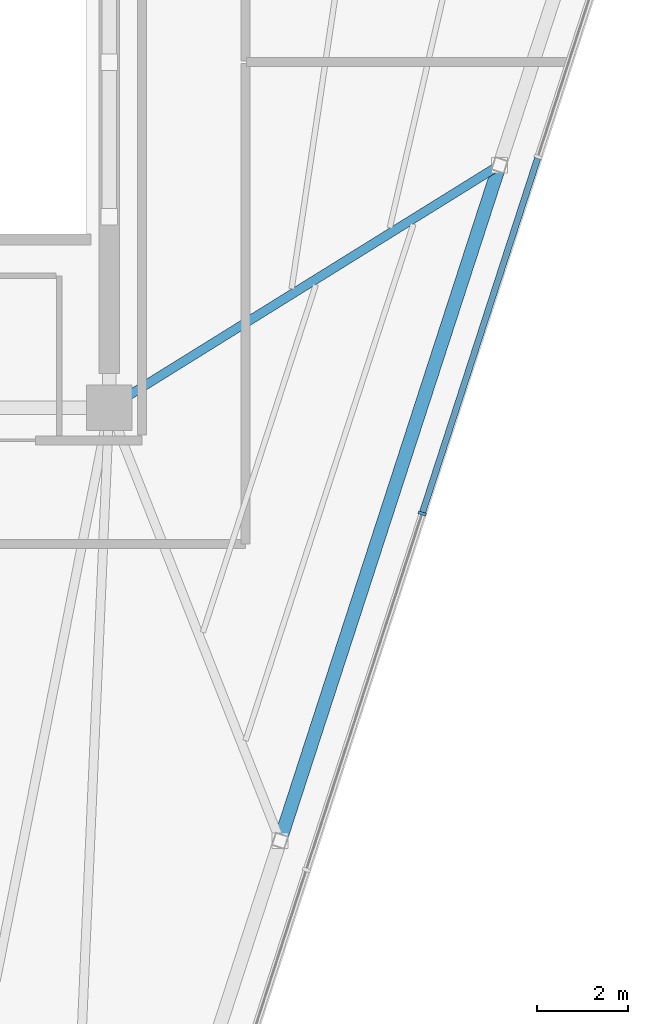
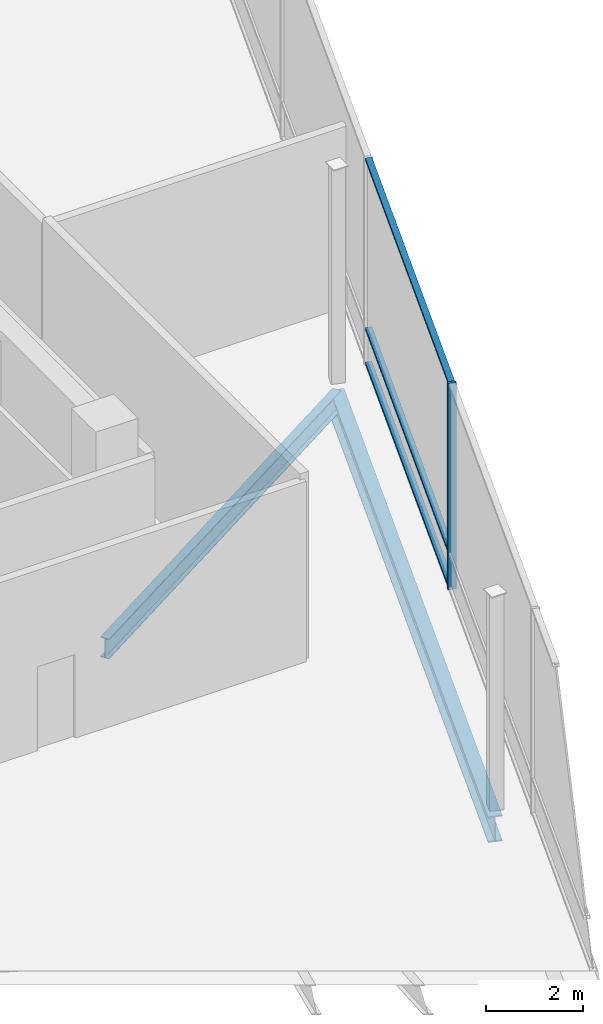
# One storey, part 6 of 14: 4 members, 2 beams, 1 element without a shape of its own.
"""IFC4 building model written with IfcOpenShell, lengths in metres."""

from ifc_helpers import new_model, si_unit, direction, frame, origin, origin_2d, place, context, subcontext, project, spatial, rectangle, i_section, extrude, material, layer, layer_set, material_profile, profile_set, type_object, element, aggregate, save


model = new_model("IFC4")

# Units and contexts
model_context = context("Model", 3, precision=1e-05, world=origin(), true_north=direction((0.0, 1.0)))
body_context = subcontext(model_context, "Body", "Model", "MODEL_VIEW")
ifc_project = project(units=[si_unit("LENGTHUNIT", "METRE"), si_unit("AREAUNIT", "SQUARE_METRE"), si_unit("VOLUMEUNIT", "CUBIC_METRE"), si_unit("PLANEANGLEUNIT", "RADIAN"), si_unit("MASSUNIT", "GRAM", prefix="KILO")], contexts=[model_context])

# Site, building, storey
site_placement = place(None, origin())
site = spatial("IfcSite", under=ifc_project, at=site_placement, CompositionType="ELEMENT")
building_placement = place(site_placement, origin())
building = spatial("IfcBuilding", under=site, at=building_placement, Name="Tharavind Bronze Gate", CompositionType="ELEMENT")
storey_placement = place(building_placement, frame((0.0, 0.0, 310.85009765625)))
storey = spatial("IfcBuildingStorey", under=building, at=storey_placement, Name="L80", CompositionType="ELEMENT", Elevation=310.85009765625)

# Curtain wall, members
ifc_material_1 = material(Name="Anodised Bronze Aluminium", Category="aluminium")
ifc_layer = layer(ifc_material_1, 0.219970703125)
ifc_layer_set = layer_set([ifc_layer], Name="Anodised Bronze Aluminium")
curtain_wall_type = type_object("IfcCurtainWallType", Name="UNITISED CURTAIN WALL CROWN", PredefinedType="USERDEFINED", material=ifc_layer_set)
curtain_wall_placement = place(storey_placement, origin())
curtain_wall = element("IfcCurtainWall", 1, at=curtain_wall_placement, inside=storey, type_object=curtain_wall_type, Name="L80 unitised curtain wall crown CW-L80-S2", ObjectType="UNITISED CURTAIN WALL", PredefinedType="USERDEFINED")
member_type_1 = type_object("IfcMemberType", Name="CURTAIN WALL BRONZE MULLION 65X180", PredefinedType="MULLION", material=ifc_material_1)
member_1_placement = place(storey_placement, frame((15.78759765625, -9.9296875, 0.0), z_axis=(0.0, 0.0, 1.0), x_axis=(0.309016994375, 0.951056516295, 0.0)))
member_1 = element("IfcMember", 2, at=member_1_placement, type_object=member_type_1, Name="CW-L80-S2 mullion 4", PredefinedType="MULLION", context=body_context, shape_type="SweptSolid", body=[
    extrude(rectangle(XDim=0.06494140625, YDim=0.179931640625, at=origin_2d()), origin(), (0.0, 0.0, 1.0), 5.179931640625),
])
member_type_2 = type_object("IfcMemberType", Name="CURTAIN WALL BRONZE TRANSOM 65X140", PredefinedType="USERDEFINED", material=ifc_material_1)
member_2_placement = place(storey_placement, frame((17.06201171875, -6.007568359375, 0.0), z_axis=(0.0, 0.0, 1.0), x_axis=(0.309016994375, 0.951056516295, 0.0)))
member_2 = element("IfcMember", 3, at=member_2_placement, type_object=member_type_2, Name="CW-L80-S2 transom TB4", ObjectType="TRANSOM", PredefinedType="USERDEFINED", context=body_context, shape_type="SweptSolid", body=[
    extrude(rectangle(XDim=8.195068359375, YDim=0.139892578125, at=origin_2d()), origin(), (0.0, 0.0, 1.0), 0.06494140625),
])
member_3_placement = place(storey_placement, frame((17.06201171875, -6.007568359375, 0.867431640625), z_axis=(0.0, 0.0, 1.0), x_axis=(0.309016994375, 0.951056516295, 0.0)))
member_3 = element("IfcMember", 4, at=member_3_placement, type_object=member_type_2, Name="CW-L80-S2 transom TS4", ObjectType="TRANSOM", PredefinedType="USERDEFINED", context=body_context, shape_type="SweptSolid", body=[
    extrude(rectangle(XDim=8.195068359375, YDim=0.139892578125, at=origin_2d()), origin(), (0.0, 0.0, 1.0), 0.06494140625),
])
member_4_placement = place(storey_placement, frame((17.06201171875, -6.007568359375, 5.114990234375), z_axis=(0.0, 0.0, 1.0), x_axis=(0.309016994375, 0.951056516295, 0.0)))
member_4 = element("IfcMember", 5, at=member_4_placement, type_object=member_type_2, Name="CW-L80-S2 transom TT4", ObjectType="TRANSOM", PredefinedType="USERDEFINED", context=body_context, shape_type="SweptSolid", body=[
    extrude(rectangle(XDim=8.195068359375, YDim=0.139892578125, at=origin_2d()), origin(), (0.0, 0.0, 1.0), 0.06494140625),
])
aggregate(curtain_wall, [member_1, member_2, member_3, member_4])

# Beams
ifc_material_2 = material(Name="Steel S355", Category="steel")
ifc_material_profile_1 = material_profile(ifc_material_2, i_section(OverallWidth=0.300048828125, OverallDepth=0.64990234375, WebThickness=0.01611328125, FlangeThickness=0.031005859375, at=origin_2d()), Name="HE650B")
ifc_profile_set_1 = profile_set([ifc_material_profile_1], Name="Steel S355")
beam_type_1 = type_object("IfcBeamType", Name="PRIMARY GIRDER HE650B", PredefinedType="USERDEFINED", material=ifc_profile_set_1)
beam_1_placement = place(storey_placement, frame((12.6591796875, -17.130615234375, -0.565185546875), z_axis=(0.30902108499, 0.951055187164, 0.0), x_axis=(-0.951055187164, 0.30902108499, 0.0)))
element("IfcBeam", 6, at=beam_1_placement, inside=storey, type_object=beam_type_1, Name="L80 primary girder he650b BM-L80-PRG06", ObjectType="GIRDER", PredefinedType="USERDEFINED", context=body_context, shape_type="SweptSolid", body=[
    extrude(i_section(OverallWidth=0.300048828125, OverallDepth=0.64990234375, WebThickness=0.01611328125, FlangeThickness=0.031005859375, at=origin_2d()), origin(), (0.0, 0.0, 1.0), 15.63037109375),
])
ifc_material_profile_2 = material_profile(ifc_material_2, i_section(OverallWidth=0.199951171875, OverallDepth=0.5, WebThickness=0.01025390625, FlangeThickness=0.01611328125, at=origin_2d()), Name="IPE500")
ifc_profile_set_2 = profile_set([ifc_material_profile_2], Name="Steel S355")
beam_type_2 = type_object("IfcBeamType", Name="PRIMARY GIRDER IPE500", PredefinedType="USERDEFINED", material=ifc_profile_set_2)
beam_2_placement = place(storey_placement, frame((17.4892578125, -2.265380859375, -0.489990234375), z_axis=(-0.849489786576, -0.527605063, 0.0), x_axis=(0.527605063, -0.849489786576, 0.0)))
element("IfcBeam", 7, at=beam_2_placement, inside=storey, type_object=beam_type_2, Name="L80 primary girder ipe500 BM-L80-RAD07", ObjectType="GIRDER", PredefinedType="USERDEFINED", context=body_context, shape_type="SweptSolid", body=[
    extrude(i_section(OverallWidth=0.199951171875, OverallDepth=0.5, WebThickness=0.01025390625, FlangeThickness=0.01611328125, at=origin_2d()), origin(), (0.0, 0.0, 1.0), 10.111083984375),
])

save(model, "model.ifc")
